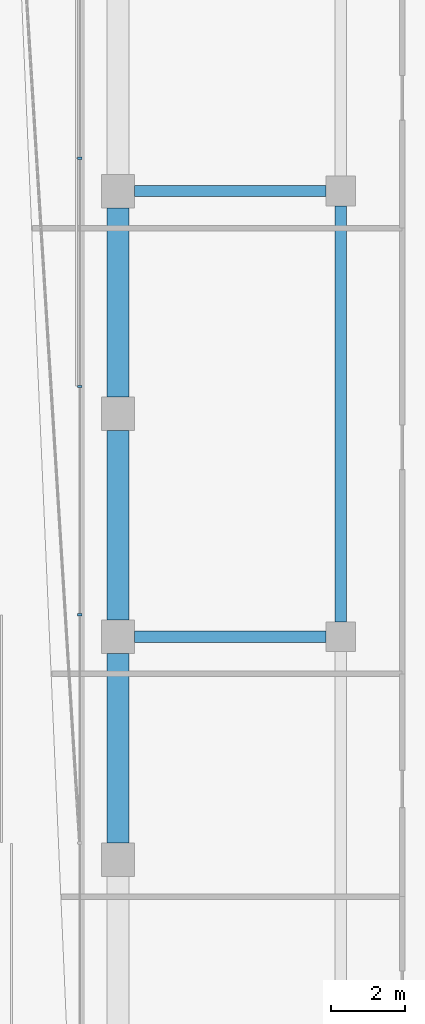
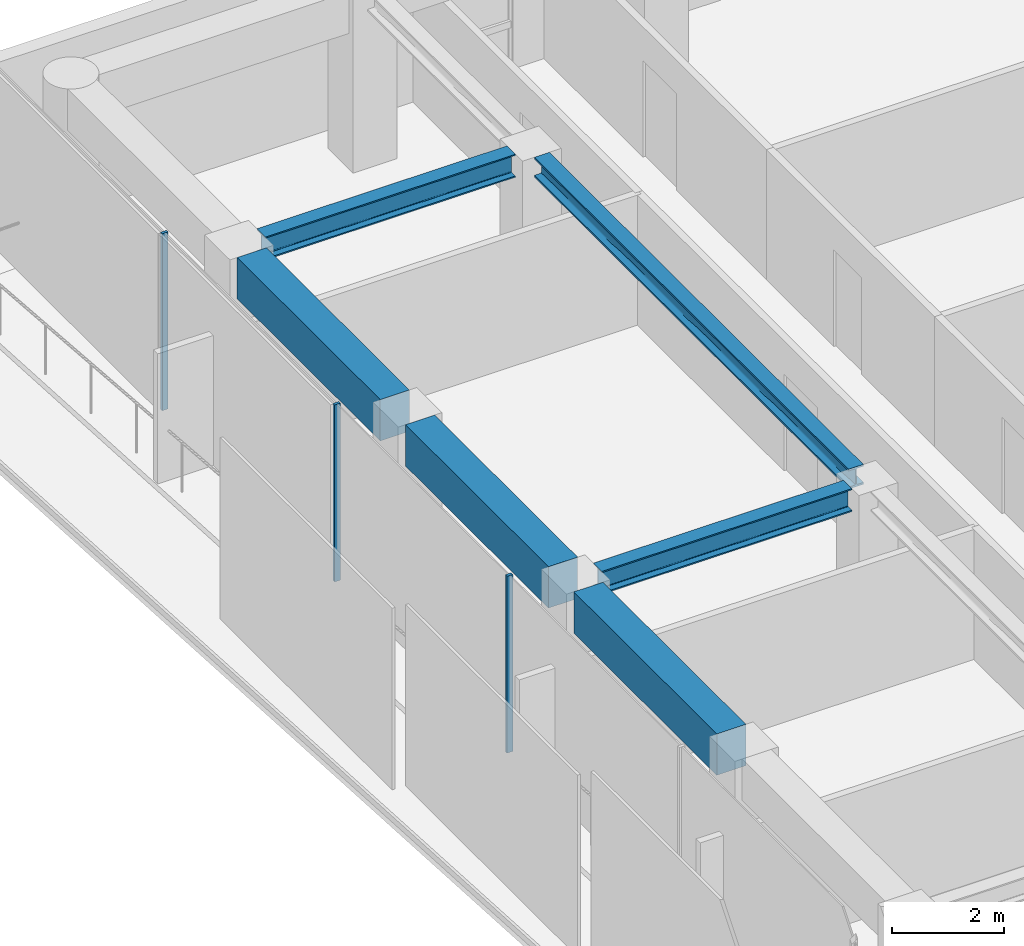
# One storey, part 14 of 24: 6 beams, 3 members, 1 element without a shape of its own.
"""IFC4 building model written with IfcOpenShell, lengths in metres."""

from ifc_helpers import new_model, si_unit, direction, frame, origin, origin_2d, place, context, subcontext, project, spatial, rectangle, i_section, extrude, material, layer, layer_set, material_profile, profile_set, type_object, element, aggregate, save


model = new_model("IFC4")

# Units and contexts
model_context = context("Model", 3, precision=1e-05, world=origin(), true_north=direction((0.0, 1.0)))
body_context = subcontext(model_context, "Body", "Model", "MODEL_VIEW")
ifc_project = project(units=[si_unit("LENGTHUNIT", "METRE"), si_unit("AREAUNIT", "SQUARE_METRE"), si_unit("VOLUMEUNIT", "CUBIC_METRE"), si_unit("PLANEANGLEUNIT", "RADIAN"), si_unit("MASSUNIT", "GRAM", prefix="KILO")], contexts=[model_context])

# Site, building, storey
site_placement = place(None, origin())
site = spatial("IfcSite", under=ifc_project, at=site_placement, CompositionType="ELEMENT")
building_placement = place(site_placement, origin())
building = spatial("IfcBuilding", under=site, at=building_placement, Name="Welwitschia Terrace Campus", CompositionType="ELEMENT")
storey_placement = place(building_placement, frame((0.0, 0.0, 100.39990234375)))
storey = spatial("IfcBuildingStorey", under=building, at=storey_placement, Name="L22", CompositionType="ELEMENT", Elevation=100.39990234375)

# Beam
ifc_material_1 = material(Name="Steel S355", Category="steel")
ifc_material_profile_1 = material_profile(ifc_material_1, i_section(OverallWidth=0.306884765625, OverallDepth=0.431884765625, WebThickness=0.02099609375, FlangeThickness=0.0400390625, FilletRadius=0.027099609375, at=origin_2d()))
ifc_profile_set_1 = profile_set([ifc_material_profile_1], Name="Steel S355")
beam_type_1 = type_object("IfcBeamType", Name="Interior girder HE 400 M", PredefinedType="BEAM", material=ifc_profile_set_1)
beam_placement = place(storey_placement, frame((6.0, 52.400390625, 3.634033203125), z_axis=(0.0, 1.0, 0.0), x_axis=(-1.0, 0.0, 0.0)))
element("IfcBeam", 1, at=beam_placement, inside=storey, type_object=beam_type_1, Name="Girder GB3", PredefinedType="BEAM", context=body_context, shape_type="SweptSolid", body=[
    extrude(i_section(OverallWidth=0.306884765625, OverallDepth=0.431884765625, WebThickness=0.02099609375, FlangeThickness=0.0400390625, FilletRadius=0.027099609375, at=origin_2d()), origin(), (0.0, 0.0, 1.0), 11.19921875),
])

# Curtain wall, members
ifc_material_2 = material(Name="Bronze anodised aluminium", Category="aluminium")
ifc_layer = layer(ifc_material_2, 0.1201171875)
ifc_layer_set = layer_set([ifc_layer], Name="Bronze anodised aluminium")
curtain_wall_type = type_object("IfcCurtainWallType", Name="Curtain wall CW2 tower 6000", PredefinedType="NOTDEFINED", material=ifc_layer_set)
curtain_wall_placement = place(storey_placement, origin())
curtain_wall = element("IfcCurtainWall", 2, at=curtain_wall_placement, inside=storey, type_object=curtain_wall_type, Name="CW L22.11.0", PredefinedType="NOTDEFINED")
ifc_material_3 = material(Name="Bronze anodised aluminium", Category="aluminium")
ifc_material_profile_2 = material_profile(ifc_material_3, rectangle(XDim=0.1201171875, YDim=0.06005859375, at=origin_2d()))
ifc_profile_set_2 = profile_set([ifc_material_profile_2], Name="Bronze anodised aluminium")
member_type = type_object("IfcMemberType", Name="Mullion 60x120", PredefinedType="MULLION", material=ifc_profile_set_2)
member_1_placement = place(storey_placement, frame((-1.030029296875, 64.88427734375, 0.0), z_axis=(0.0, 0.0, 1.0), x_axis=(1.0, 0.0, 0.0)))
member_1 = element("IfcMember", 3, at=member_1_placement, type_object=member_type, Name="Mullion L22.11.0.1", PredefinedType="MULLION", context=body_context, shape_type="SweptSolid", body=[
    extrude(rectangle(XDim=0.1201171875, YDim=0.06005859375, at=origin_2d()), origin(), (0.0, 0.0, 1.0), 3.85009765625),
])
member_2_placement = place(storey_placement, frame((-1.030029296875, 58.73876953125, 0.0), z_axis=(0.0, 0.0, 1.0), x_axis=(1.0, 0.0, 0.0)))
member_2 = element("IfcMember", 4, at=member_2_placement, type_object=member_type, Name="Mullion L22.11.0.2", PredefinedType="MULLION", context=body_context, shape_type="SweptSolid", body=[
    extrude(rectangle(XDim=0.1201171875, YDim=0.06005859375, at=origin_2d()), origin(), (0.0, 0.0, 1.0), 3.85009765625),
])
member_3_placement = place(storey_placement, frame((-1.030029296875, 52.593017578125, 0.0), z_axis=(0.0, 0.0, 1.0), x_axis=(1.0, 0.0, 0.0)))
member_3 = element("IfcMember", 5, at=member_3_placement, type_object=member_type, Name="Mullion L22.11.0.3", PredefinedType="MULLION", context=body_context, shape_type="SweptSolid", body=[
    extrude(rectangle(XDim=0.1201171875, YDim=0.06005859375, at=origin_2d()), origin(), (0.0, 0.0, 1.0), 3.85009765625),
])
aggregate(curtain_wall, [member_1, member_2, member_3])

# Beams
ifc_material_4 = material(Name="Steel S355", Category="steel")
ifc_material_profile_3 = material_profile(ifc_material_4, i_section(OverallWidth=0.300048828125, OverallDepth=0.5, WebThickness=0.014404296875, FlangeThickness=0.028076171875, FilletRadius=0.027099609375, at=origin_2d()))
ifc_profile_set_3 = profile_set([ifc_material_profile_3], Name="Steel S355")
beam_type_2 = type_object("IfcBeamType", Name="Primary beam HE 500 B", PredefinedType="BEAM", material=ifc_profile_set_3)
for number, where, z_axis, x_axis, name in (
    (6, (0.450439453125, 64.0, 3.60009765625), (1.0, 0.0, 0.0), (0.0, 1.0, 0.0), "Primary beam PB3"),
    (7, (0.450439453125, 52.0, 3.60009765625), (1.0, 0.0, 0.0), (0.0, 1.0, 0.0), "Primary beam PB3"),
):
    element("IfcBeam", number, at=place(storey_placement, frame(where, z_axis=z_axis, x_axis=x_axis)), inside=storey, type_object=beam_type_2, Name=name, PredefinedType="BEAM", context=body_context, shape_type="SweptSolid", body=[
        extrude(i_section(OverallWidth=0.300048828125, OverallDepth=0.5, WebThickness=0.014404296875, FlangeThickness=0.028076171875, FilletRadius=0.027099609375, at=origin_2d()), origin(), (0.0, 0.0, 1.0), 5.149169921875),
    ])
ifc_material_5 = material(Name="Concrete C60/75", Category="concrete")
ifc_material_profile_4 = material_profile(ifc_material_5, rectangle(XDim=0.60009765625, YDim=0.89990234375, at=origin_2d()))
ifc_profile_set_4 = profile_set([ifc_material_profile_4], Name="Concrete C60/75")
beam_type_3 = type_object("IfcBeamType", Name="Ring spandrel 600x900", PredefinedType="SPANDREL", material=ifc_profile_set_4)
for number, where, z_axis, x_axis, name in (
    (8, (0.0, 63.549560546875, 3.400146484375), (0.0, -1.0, 0.0), (1.0, 0.0, 0.0), "Spandrel SP2"),
    (9, (0.0, 57.549560546875, 3.400146484375), (0.0, -1.0, 0.0), (1.0, 0.0, 0.0), "Spandrel SP2"),
    (10, (0.0, 51.549560546875, 3.400146484375), (0.0, -1.0, 0.0), (1.0, 0.0, 0.0), "Spandrel SP2"),
):
    element("IfcBeam", number, at=place(storey_placement, frame(where, z_axis=z_axis, x_axis=x_axis)), inside=storey, type_object=beam_type_3, Name=name, PredefinedType="SPANDREL", context=body_context, shape_type="SweptSolid", body=[
        extrude(rectangle(XDim=0.60009765625, YDim=0.89990234375, at=origin_2d()), origin(), (0.0, 0.0, 1.0), 5.09912109375),
    ])

save(model, "model.ifc")
